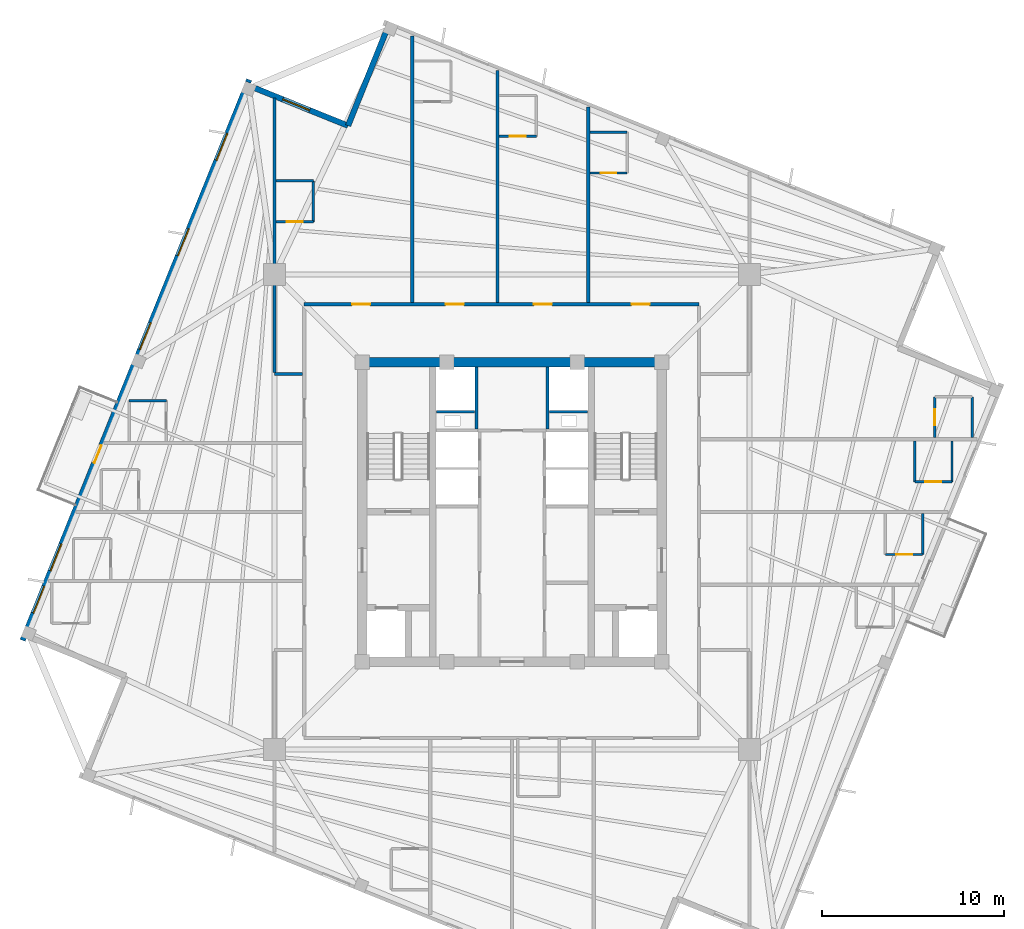
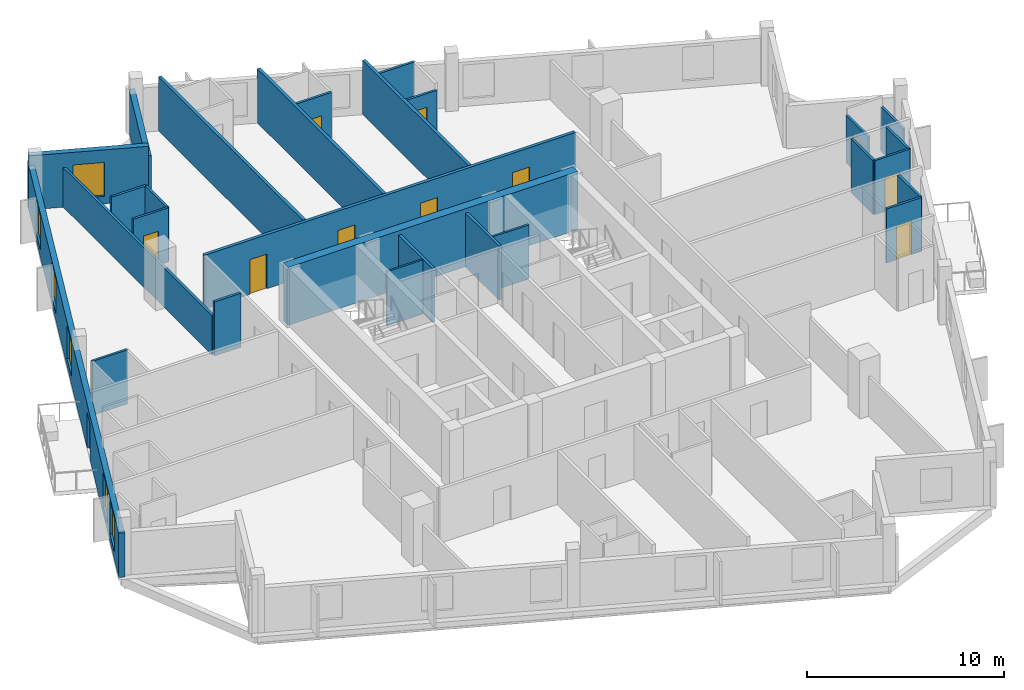
# One storey, part 5 of 9: 28 walls, 11 doors, 6 windows, 17 openings.
"""IFC4 building model written with IfcOpenShell, lengths in metres."""

from ifc_helpers import new_model, si_unit, direction, frame, frame_2d, origin, place, context, subcontext, project, spatial, rectangle, extrude, source, transform, mapped, material, layer, layer_set, type_object, element, fill, save


model = new_model("IFC4")

# Units and contexts
model_context = context("Model", 3, precision=1e-05, world=origin(), true_north=direction((0.0, 1.0)))
body_context = subcontext(model_context, "Body", "Model", "MODEL_VIEW")
ifc_project = project(units=[si_unit("LENGTHUNIT", "METRE"), si_unit("AREAUNIT", "SQUARE_METRE"), si_unit("VOLUMEUNIT", "CUBIC_METRE"), si_unit("PLANEANGLEUNIT", "RADIAN"), si_unit("MASSUNIT", "GRAM", prefix="KILO"), si_unit("THERMODYNAMICTEMPERATUREUNIT", "KELVIN")], contexts=[model_context])

# Site, building, storey
site_placement = place(None, origin())
site = spatial("IfcSite", under=ifc_project, at=site_placement, CompositionType="ELEMENT")
building_placement = place(site_placement, origin())
building = spatial("IfcBuilding", under=site, at=building_placement, Name="Kosmvard Interchange Tower", CompositionType="ELEMENT")
storey_placement = place(building_placement, frame((0.0, 0.0, 279.60009765625)))
storey = spatial("IfcBuildingStorey", under=building, at=storey_placement, Name="L68", CompositionType="ELEMENT", Elevation=279.60009765625)

# Walls
ifc_material_1 = material(Name="Acoustic gypsum partition system")
ifc_layer_1 = layer(ifc_material_1, 0.14990234375, Name="Acoustic gypsum partition system")
ifc_layer_set_1 = layer_set([ifc_layer_1], Name="Acoustic gypsum partition system")
wall_type_1 = type_object("IfcWallType", Name="Acoustic Suite & Meeting Partition 150", PredefinedType="PARTITIONING", material=ifc_layer_set_1)
wall_1_placement = place(storey_placement, frame((-11.544921875, 7.60009765625, 0.0), z_axis=(0.0, 0.0, 1.0), x_axis=(-1.0, 0.0, 0.0)))
element("IfcWall", 1, at=wall_1_placement, inside=storey, type_object=wall_type_1, Name="L68 Room Partition 13.1", PredefinedType="PARTITIONING", context=body_context, shape_type="SweptSolid", body=[
    extrude(rectangle(XDim=1.5361328125, YDim=0.14990234375, at=frame_2d((0.76806640625, 0.0))), origin(), (0.0, 0.0, 1.0), 3.349853515625),
])
wall_2_placement = place(storey_placement, frame((-13.0810546875, 7.675048828125, 0.0), z_axis=(0.0, 0.0, 1.0), x_axis=(0.0, 1.0, 0.0)))
element("IfcWall", 2, at=wall_2_placement, inside=storey, type_object=wall_type_1, Name="L68 Room Partition 14.1", PredefinedType="PARTITIONING", context=body_context, shape_type="SweptSolid", body=[
    extrude(rectangle(XDim=15.1416015625, YDim=0.14990234375, at=frame_2d((7.57080078125, 0.0))), origin(), (0.0, 0.0, 1.0), 2.449951171875),
])
ifc_material_2 = material(Name="Fire-rated gypsum partition system")
ifc_layer_2 = layer(ifc_material_2, 0.159912109375, Name="Fire-rated gypsum partition system")
ifc_layer_set_2 = layer_set([ifc_layer_2], Name="Fire-rated gypsum partition system")
wall_type_2 = type_object("IfcWallType", Name="Core Compartment & Shuttle Lobby Partition 160", PredefinedType="PARTITIONING", material=ifc_layer_set_2)
for number, where, z_axis, x_axis, name in (
    (3, (-1.9599609375, 4.580078125, 0.0), (0.0, 0.0, 1.0), (0.0, 1.0, 0.0), "L68 North Core West Wall"),
    (4, (1.9599609375, 4.580078125, 0.0), (0.0, 0.0, 1.0), (0.0, 1.0, 0.0), "L68 North Core East Wall"),
):
    element("IfcWall", number, at=place(storey_placement, frame(where, z_axis=z_axis, x_axis=x_axis)), inside=storey, type_object=wall_type_2, Name=name, PredefinedType="PARTITIONING", context=body_context, shape_type="SweptSolid", body=[
        extrude(rectangle(XDim=3.39990234375, YDim=0.159912109375, at=frame_2d((1.699951171875, 0.0))), origin(), (0.0, 0.0, 1.0), 3.349853515625),
    ])

# Wall, openings, doors
ifc_layer_3 = layer(ifc_material_2, 0.179931640625, Name="Fire-rated gypsum partition system")
ifc_layer_set_3 = layer_set([ifc_layer_3], Name="Fire-rated gypsum partition system")
wall_type_3 = type_object("IfcWallType", Name="Corridor & Hotel Compartment Partition 180", PredefinedType="PARTITIONING", material=ifc_layer_set_3)
wall_3_placement = place(storey_placement, frame((-11.449951171875, 11.449951171875, 0.0), z_axis=(0.0, 0.0, 1.0), x_axis=(1.0, 0.0, 0.0)))
wall_3 = element("IfcWall", 5, at=wall_3_placement, inside=storey, type_object=wall_type_3, Name="L68 Corridor Wall CN", PredefinedType="PARTITIONING", context=body_context, shape_type="SweptSolid", body=[
    extrude(rectangle(XDim=21.75, YDim=0.179931640625, at=frame_2d((10.875, 0.0))), origin(), (0.0, 0.0, 1.0), 3.349853515625),
])
opening_1_placement = place(wall_3_placement, frame((2.639404296875, 0.0, 0.0)))
opening_1 = element("IfcOpeningElement", 6, at=opening_1_placement, cuts=wall_3, Name="Opening L68-D06", PredefinedType="OPENING", context=body_context, shape_type="SweptSolid", body=[
    extrude(rectangle(XDim=1.0, YDim=2.14990234375, at=frame_2d((0.5, 1.074951171875))), frame((0.0, 0.10009765625, 0.0), z_axis=(0.0, -1.0, 0.0), x_axis=(1.0, 0.0, 0.0)), (0.0, 0.0, 1.0), 0.199951171875),
])
opening_2_placement = place(wall_3_placement, frame((7.800048828125, 0.0, 0.0)))
opening_2 = element("IfcOpeningElement", 7, at=opening_2_placement, cuts=wall_3, Name="Opening L68-D08", PredefinedType="OPENING", context=body_context, shape_type="SweptSolid", body=[
    extrude(rectangle(XDim=1.0, YDim=2.14990234375, at=frame_2d((0.5, 1.074951171875))), frame((0.0, 0.10009765625, 0.0), z_axis=(0.0, -1.0, 0.0), x_axis=(1.0, 0.0, 0.0)), (0.0, 0.0, 1.0), 0.199951171875),
])
opening_3_placement = place(wall_3_placement, frame((12.64990234375, 0.0, 0.0)))
opening_3 = element("IfcOpeningElement", 8, at=opening_3_placement, cuts=wall_3, Name="Opening L68-D10", PredefinedType="OPENING", context=body_context, shape_type="SweptSolid", body=[
    extrude(rectangle(XDim=1.0, YDim=2.14990234375, at=frame_2d((0.5, 1.074951171875))), frame((0.0, 0.10009765625, 0.0), z_axis=(0.0, -1.0, 0.0), x_axis=(1.0, 0.0, 0.0)), (0.0, 0.0, 1.0), 0.199951171875),
])
opening_4_placement = place(wall_3_placement, frame((18.03564453125, 0.0, 0.0)))
opening_4 = element("IfcOpeningElement", 9, at=opening_4_placement, cuts=wall_3, Name="Opening L68-D12", PredefinedType="OPENING", context=body_context, shape_type="SweptSolid", body=[
    extrude(rectangle(XDim=1.0, YDim=2.14990234375, at=frame_2d((0.5, 1.074951171875))), frame((0.0, 0.10009765625, 0.0), z_axis=(0.0, -1.0, 0.0), x_axis=(1.0, 0.0, 0.0)), (0.0, 0.0, 1.0), 0.199951171875),
])
ifc_material_3 = material(Name="Engineered oak fire-rated timber", Category="wood")
door_type_1 = type_object("IfcDoorType", Name="Hotel Guestroom Entrance Door 1000x2150 EI60", OperationType="NOTDEFINED", PredefinedType="DOOR", material=ifc_material_3)
shared_shape_1 = source(origin(), body_context, "Body", "SweptSolid", [
    extrude(rectangle(XDim=1.0, YDim=2.14990234375, at=frame_2d((0.5, 1.074951171875))), frame((0.0, 0.02490234375, 0.0), z_axis=(0.0, -1.0, 0.0), x_axis=(1.0, 0.0, 0.0)), (0.0, 0.0, 1.0), 0.050048828125),
])
door_1_placement = place(opening_1_placement, origin())
door_1 = element("IfcDoor", 10, at=door_1_placement, inside=storey, type_object=door_type_1, Name="L68 Hotel Standard Junior Suite 3 Door", OperationType="SINGLE_SWING_RIGHT", OverallHeight=2.14990234375, OverallWidth=1.0, PredefinedType="DOOR", context=body_context, shape_type="MappedRepresentation", body=[
    mapped(shared_shape_1, transform((0.0, 0.0, 0.0), scale=1.0)),
])
fill(opening_1, door_1)
door_2_placement = place(opening_2_placement, origin())
door_2 = element("IfcDoor", 11, at=door_2_placement, inside=storey, type_object=door_type_1, Name="L68 Hotel Corner Suite 1 Door", OperationType="SINGLE_SWING_RIGHT", OverallHeight=2.14990234375, OverallWidth=1.0, PredefinedType="DOOR", context=body_context, shape_type="MappedRepresentation", body=[
    mapped(shared_shape_1, transform((0.0, 0.0, 0.0), scale=1.0)),
])
fill(opening_2, door_2)
door_3_placement = place(opening_3_placement, origin())
door_3 = element("IfcDoor", 12, at=door_3_placement, inside=storey, type_object=door_type_1, Name="L68 Hotel Twin Guest Room 4 Door", OperationType="SINGLE_SWING_RIGHT", OverallHeight=2.14990234375, OverallWidth=1.0, PredefinedType="DOOR", context=body_context, shape_type="MappedRepresentation", body=[
    mapped(shared_shape_1, transform((0.0, 0.0, 0.0), scale=1.0)),
])
fill(opening_3, door_3)
door_4_placement = place(opening_4_placement, origin())
door_4 = element("IfcDoor", 13, at=door_4_placement, inside=storey, type_object=door_type_1, Name="L68 Hotel Queen Junior Suite 5 Door", OperationType="SINGLE_SWING_RIGHT", OverallHeight=2.14990234375, OverallWidth=1.0, PredefinedType="DOOR", context=body_context, shape_type="MappedRepresentation", body=[
    mapped(shared_shape_1, transform((0.0, 0.0, 0.0), scale=1.0)),
])
fill(opening_4, door_4)

# Walls
wall_4_placement = place(storey_placement, frame((-5.5, 11.544921875, 0.0), z_axis=(0.0, 0.0, 1.0), x_axis=(0.0, 1.0, 0.0)))
element("IfcWall", 14, at=wall_4_placement, inside=storey, type_object=wall_type_3, Name="L68 Room Partition 01.1", PredefinedType="PARTITIONING", context=body_context, shape_type="SweptSolid", body=[
    extrude(rectangle(XDim=14.679931640625, YDim=0.179931640625, at=frame_2d((7.33984375, 0.0))), origin(), (0.0, 0.0, 1.0), 3.349853515625),
])
wall_5_placement = place(storey_placement, frame((-0.800048828125, 11.544921875, 0.0), z_axis=(0.0, 0.0, 1.0), x_axis=(0.0, 1.0, 0.0)))
element("IfcWall", 15, at=wall_5_placement, inside=storey, type_object=wall_type_3, Name="L68 Room Partition 02.1", PredefinedType="PARTITIONING", context=body_context, shape_type="SweptSolid", body=[
    extrude(rectangle(XDim=12.781005859375, YDim=0.179931640625, at=frame_2d((6.390625, 0.0))), origin(), (0.0, 0.0, 1.0), 3.349853515625),
])
wall_6_placement = place(storey_placement, frame((4.199951171875, 11.544921875, 0.0), z_axis=(0.0, 0.0, 1.0), x_axis=(0.0, 1.0, 0.0)))
element("IfcWall", 16, at=wall_6_placement, inside=storey, type_object=wall_type_3, Name="L68 Room Partition 03.1", PredefinedType="PARTITIONING", context=body_context, shape_type="SweptSolid", body=[
    extrude(rectangle(XDim=10.760986328125, YDim=0.179931640625, at=frame_2d((5.38037109375, 0.0))), origin(), (0.0, 0.0, 1.0), 3.349853515625),
])
ifc_material_4 = material(Name="Fire-rated gypsum shaftwall system")
ifc_layer_4 = layer(ifc_material_4, 0.1201171875, Name="Fire-rated gypsum shaftwall system")
ifc_layer_set_4 = layer_set([ifc_layer_4], Name="Fire-rated gypsum shaftwall system")
wall_type_4 = type_object("IfcWallType", Name="Shaft & Riser Fire Partition 120 EI60", PredefinedType="PARTITIONING", material=ifc_layer_set_4)
for number, where, z_axis, x_axis, name in (
    (17, (-4.159912109375, 5.52001953125, 0.0), (0.0, 0.0, 1.0), (1.0, 0.0, 0.0), "L68 Riser Shaft Divider W"),
    (18, (2.06005859375, 5.52001953125, 0.0), (0.0, 0.0, 1.0), (1.0, 0.0, 0.0), "L68 Riser Shaft Divider E"),
):
    element("IfcWall", number, at=place(storey_placement, frame(where, z_axis=z_axis, x_axis=x_axis)), inside=storey, type_object=wall_type_4, Name=name, PredefinedType="PARTITIONING", context=body_context, shape_type="SweptSolid", body=[
        extrude(rectangle(XDim=2.099853515625, YDim=0.1201171875, at=frame_2d((1.0498046875, 0.0))), origin(), (0.0, 0.0, 1.0), 3.349853515625),
    ])
ifc_material_5 = material(Name="Concrete C60/75", Category="concrete")
ifc_layer_5 = layer(ifc_material_5, 0.5, Name="Concrete C60/75")
ifc_layer_set_5 = layer_set([ifc_layer_5], Name="Concrete C60/75")
wall_type_5 = type_object("IfcWallType", Name="Upper Core Shear Wall 500 C60/75", PredefinedType="SHEAR", material=ifc_layer_set_5)
wall_7_placement = place(storey_placement, frame((-8.5, 8.25, 0.0), z_axis=(0.0, 0.0, 1.0), x_axis=(1.0, 0.0, 0.0)))
element("IfcWall", 19, at=wall_7_placement, inside=storey, type_object=wall_type_5, Name="L68 Core Shear Wall CW-N", PredefinedType="SHEAR", context=body_context, shape_type="SweptSolid", body=[
    extrude(rectangle(XDim=17.0, YDim=0.5, at=frame_2d((8.5, 0.0))), origin(), (0.0, 0.0, 1.0), 3.599853515625),
])
ifc_material_6 = material(Name="Precast concrete C45/55", Category="concrete")
ifc_layer_6 = layer(ifc_material_6, 0.31005859375, Name="Precast concrete C45/55")
ifc_layer_set_6 = layer_set([ifc_layer_6], Name="Precast concrete C45/55")
wall_type_6 = type_object("IfcWallType", Name="Upper Tower Precast Pier Wall 310 C45/55", PredefinedType="STANDARD", material=ifc_layer_set_6)
wall_8_placement = place(storey_placement, frame((-6.7841796875, 26.8408203125, 0.0), z_axis=(0.0, 0.0, 1.0), x_axis=(-0.374636620962, -0.927171722085, 0.0)))
element("IfcWall", 20, at=wall_8_placement, inside=storey, type_object=wall_type_6, Name="L68 Precast Facade Wall N-NE1", PredefinedType="STANDARD", context=body_context, shape_type="SweptSolid", body=[
    extrude(rectangle(XDim=6.0, YDim=0.31005859375, at=frame_2d((3.0, 0.0))), origin(), (0.0, 0.0, 1.0), 2.64990234375),
])

# Wall, opening, window
wall_9_placement = place(storey_placement, frame((-9.031982421875, 21.27783203125, 0.0), z_axis=(0.0, 0.0, 1.0), x_axis=(-0.927185411764, 0.374602739196, 0.0)))
wall_9 = element("IfcWall", 21, at=wall_9_placement, inside=storey, type_object=wall_type_6, Name="L68 Precast Facade Wall N-NE2", PredefinedType="STANDARD", context=body_context, shape_type="SweptSolid", body=[
    extrude(rectangle(XDim=6.155029296875, YDim=0.31005859375, at=frame_2d((3.07763671875, 0.0))), origin(), (0.0, 0.0, 1.0), 3.349853515625),
])
opening_5_placement = place(wall_9_placement, frame((2.277587890625, 0.0, 0.469970703125)))
opening_5 = element("IfcOpeningElement", 22, at=opening_5_placement, cuts=wall_9, Name="Opening L68-W20", PredefinedType="OPENING", context=body_context, shape_type="SweptSolid", body=[
    extrude(rectangle(XDim=1.60009765625, YDim=2.10009765625, at=frame_2d((0.800048828125, 1.050048828125))), frame((0.0, 0.1650390625, 0.0), z_axis=(0.0, -1.0, 0.0), x_axis=(1.0, 0.0, 0.0)), (0.0, 0.0, 1.0), 0.330078125),
])
ifc_material_7 = material(Name="Low-E acoustic double glazing", Category="glass")
window_type = type_object("IfcWindowType", Name="Zone 5 Hotel Punched Window 1600x2100", PartitioningType="SINGLE_PANEL", PredefinedType="WINDOW", material=ifc_material_7)
shared_shape_2 = source(origin(), body_context, "Body", "SweptSolid", [
    extrude(rectangle(XDim=1.60009765625, YDim=2.10009765625, at=frame_2d((0.800048828125, 1.050048828125))), frame((0.0, 0.030029296875, 0.0), z_axis=(0.0, -1.0, 0.0), x_axis=(1.0, 0.0, 0.0)), (0.0, 0.0, 1.0), 0.06005859375),
])
window_1_placement = place(opening_5_placement, origin())
window_1 = element("IfcWindow", 23, at=window_1_placement, inside=storey, type_object=window_type, Name="L68 Corner Notch Window 20", OverallHeight=2.10009765625, OverallWidth=1.60009765625, PartitioningType="SINGLE_PANEL", PredefinedType="WINDOW", context=body_context, shape_type="MappedRepresentation", body=[
    mapped(shared_shape_2, transform((0.0, 0.0, 0.0), scale=1.0)),
])
fill(opening_5, window_1)

# Wall, openings, door, windows
wall_10_placement = place(storey_placement, frame((-14.478759765625, 23.812744140625, 0.0), z_axis=(0.0, 0.0, 1.0), x_axis=(-0.374609557019, -0.927182657188, 0.0)))
wall_10 = element("IfcWall", 24, at=wall_10_placement, inside=storey, type_object=wall_type_6, Name="L68 Precast Facade Wall F-N", PredefinedType="STANDARD", context=body_context, shape_type="SweptSolid", body=[
    extrude(rectangle(XDim=33.31005859375, YDim=0.31005859375, at=frame_2d((16.655029296875, 0.0))), origin(), (0.0, 0.0, 1.0), 2.75),
])
opening_6_placement = place(wall_10_placement, frame((21.72998046875, 0.0, 0.0)))
opening_6 = element("IfcOpeningElement", 25, at=opening_6_placement, cuts=wall_10, Name="Opening L68-BDE", PredefinedType="OPENING", context=body_context, shape_type="SweptSolid", body=[
    extrude(rectangle(XDim=1.050048828125, YDim=2.25, at=frame_2d((0.52490234375, 1.125))), frame((0.0, 0.1650390625, 0.0), z_axis=(0.0, -1.0, 0.0), x_axis=(1.0, 0.0, 0.0)), (0.0, 0.0, 1.0), 0.330078125),
])
opening_7_placement = place(wall_10_placement, frame((3.197265625, 0.0, 0.469970703125)))
opening_7 = element("IfcOpeningElement", 26, at=opening_7_placement, cuts=wall_10, Name="Opening L68-W10", PredefinedType="OPENING", context=body_context, shape_type="SweptSolid", body=[
    extrude(rectangle(XDim=1.60009765625, YDim=2.10009765625, at=frame_2d((0.800048828125, 1.050048828125))), frame((0.0, 0.1650390625, 0.0), z_axis=(0.0, -1.0, 0.0), x_axis=(1.0, 0.0, 0.0)), (0.0, 0.0, 1.0), 0.330078125),
])
opening_8_placement = place(wall_10_placement, frame((8.85986328125, 0.0, 0.469970703125)))
opening_8 = element("IfcOpeningElement", 27, at=opening_8_placement, cuts=wall_10, Name="Opening L68-W11", PredefinedType="OPENING", context=body_context, shape_type="SweptSolid", body=[
    extrude(rectangle(XDim=1.60009765625, YDim=2.10009765625, at=frame_2d((0.800048828125, 1.050048828125))), frame((0.0, 0.1650390625, 0.0), z_axis=(0.0, -1.0, 0.0), x_axis=(1.0, 0.0, 0.0)), (0.0, 0.0, 1.0), 0.330078125),
])
opening_9_placement = place(wall_10_placement, frame((14.438720703125, 0.0, 0.469970703125)))
opening_9 = element("IfcOpeningElement", 28, at=opening_9_placement, cuts=wall_10, Name="Opening L68-W12", PredefinedType="OPENING", context=body_context, shape_type="SweptSolid", body=[
    extrude(rectangle(XDim=1.60009765625, YDim=2.10009765625, at=frame_2d((0.800048828125, 1.050048828125))), frame((0.0, 0.1650390625, 0.0), z_axis=(0.0, -1.0, 0.0), x_axis=(1.0, 0.0, 0.0)), (0.0, 0.0, 1.0), 0.330078125),
])
opening_10_placement = place(wall_10_placement, frame((30.0966796875, 0.0, 0.469970703125)))
opening_10 = element("IfcOpeningElement", 29, at=opening_10_placement, cuts=wall_10, Name="Opening L68-W13", PredefinedType="OPENING", context=body_context, shape_type="SweptSolid", body=[
    extrude(rectangle(XDim=1.60009765625, YDim=2.10009765625, at=frame_2d((0.800048828125, 1.050048828125))), frame((0.0, 0.1650390625, 0.0), z_axis=(0.0, -1.0, 0.0), x_axis=(1.0, 0.0, 0.0)), (0.0, 0.0, 1.0), 0.330078125),
])
opening_11_placement = place(wall_10_placement, frame((27.58984375, 0.0, 0.469970703125)))
opening_11 = element("IfcOpeningElement", 30, at=opening_11_placement, cuts=wall_10, Name="Opening L68-DW23", PredefinedType="OPENING", context=body_context, shape_type="SweptSolid", body=[
    extrude(rectangle(XDim=1.60009765625, YDim=2.10009765625, at=frame_2d((0.800048828125, 1.050048828125))), frame((0.0, 0.1650390625, 0.0), z_axis=(0.0, -1.0, 0.0), x_axis=(1.0, 0.0, 0.0)), (0.0, 0.0, 1.0), 0.330078125),
])
ifc_material_8 = material(Name="Anodised aluminium and safety glass", Category="aluminium")
door_type_2 = type_object("IfcDoorType", Name="Tree-Balcony Glazed Door 1050x2250", OperationType="NOTDEFINED", PredefinedType="DOOR", material=ifc_material_8)
shared_shape_3 = source(origin(), body_context, "Body", "SweptSolid", [
    extrude(rectangle(XDim=1.050048828125, YDim=2.25, at=frame_2d((0.52490234375, 1.125))), frame((0.0, 0.02490234375, 0.0), z_axis=(0.0, -1.0, 0.0), x_axis=(1.0, 0.0, 0.0)), (0.0, 0.0, 1.0), 0.050048828125),
])
door_5_placement = place(opening_6_placement, origin())
door_5 = element("IfcDoor", 31, at=door_5_placement, inside=storey, type_object=door_type_2, Name="L68 Tree-Balcony Door BAL-L68-NE", OperationType="SINGLE_SWING_LEFT", OverallHeight=2.25, OverallWidth=1.050048828125, PredefinedType="DOOR", context=body_context, shape_type="MappedRepresentation", body=[
    mapped(shared_shape_3, transform((0.0, 0.0, 0.0), scale=1.0)),
])
fill(opening_6, door_5)
window_2_placement = place(opening_7_placement, origin())
window_2 = element("IfcWindow", 32, at=window_2_placement, inside=storey, type_object=window_type, Name="L68 Facade Punched Window 10", OverallHeight=2.10009765625, OverallWidth=1.60009765625, PartitioningType="SINGLE_PANEL", PredefinedType="WINDOW", context=body_context, shape_type="MappedRepresentation", body=[
    mapped(shared_shape_2, transform((0.0, 0.0, 0.0), scale=1.0)),
])
fill(opening_7, window_2)
window_3_placement = place(opening_8_placement, origin())
window_3 = element("IfcWindow", 33, at=window_3_placement, inside=storey, type_object=window_type, Name="L68 Facade Punched Window 11", OverallHeight=2.10009765625, OverallWidth=1.60009765625, PartitioningType="SINGLE_PANEL", PredefinedType="WINDOW", context=body_context, shape_type="MappedRepresentation", body=[
    mapped(shared_shape_2, transform((0.0, 0.0, 0.0), scale=1.0)),
])
fill(opening_8, window_3)
window_4_placement = place(opening_9_placement, origin())
window_4 = element("IfcWindow", 34, at=window_4_placement, inside=storey, type_object=window_type, Name="L68 Facade Punched Window 12", OverallHeight=2.10009765625, OverallWidth=1.60009765625, PartitioningType="SINGLE_PANEL", PredefinedType="WINDOW", context=body_context, shape_type="MappedRepresentation", body=[
    mapped(shared_shape_2, transform((0.0, 0.0, 0.0), scale=1.0)),
])
fill(opening_9, window_4)
window_5_placement = place(opening_10_placement, origin())
window_5 = element("IfcWindow", 35, at=window_5_placement, inside=storey, type_object=window_type, Name="L68 Facade Punched Window 13", OverallHeight=2.10009765625, OverallWidth=1.60009765625, PartitioningType="SINGLE_PANEL", PredefinedType="WINDOW", context=body_context, shape_type="MappedRepresentation", body=[
    mapped(shared_shape_2, transform((0.0, 0.0, 0.0), scale=1.0)),
])
fill(opening_10, window_5)
window_6_placement = place(opening_11_placement, origin())
window_6 = element("IfcWindow", 36, at=window_6_placement, inside=storey, type_object=window_type, Name="L68 Guest Room Punched Window 23", OverallHeight=2.10009765625, OverallWidth=1.60009765625, PartitioningType="SINGLE_PANEL", PredefinedType="WINDOW", context=body_context, shape_type="MappedRepresentation", body=[
    mapped(shared_shape_2, transform((0.0, 0.0, 0.0), scale=1.0)),
])
fill(opening_11, window_6)

# Wall
ifc_material_9 = material(Name="Moisture-resistant gypsum partition")
ifc_layer_7 = layer(ifc_material_9, 0.135009765625, Name="Moisture-resistant gypsum partition")
ifc_layer_set_7 = layer_set([ifc_layer_7], Name="Moisture-resistant gypsum partition")
wall_type_7 = type_object("IfcWallType", Name="Wet Room Moisture-Resistant Partition 135", PredefinedType="PARTITIONING", material=ifc_layer_set_7)
wall_11_placement = place(storey_placement, frame((-21.084228515625, 6.139892578125, 0.0), z_axis=(0.0, 0.0, 1.0), x_axis=(1.0, 0.0, 0.0)))
element("IfcWall", 37, at=wall_11_placement, inside=storey, type_object=wall_type_7, Name="L68 En-Suite Partition HGR2-N", PredefinedType="PARTITIONING", context=body_context, shape_type="SweptSolid", body=[
    extrude(rectangle(XDim=2.050048828125, YDim=0.135009765625, at=frame_2d((1.02490234375, 0.0))), origin(), (0.0, 0.0, 1.0), 3.349853515625),
])

# Wall, opening, door
wall_12_placement = place(storey_placement, frame((-12.990966796875, 15.98583984375, 0.0), z_axis=(0.0, 0.0, 1.0), x_axis=(1.0, 0.0, 0.0)))
wall_12 = element("IfcWall", 38, at=wall_12_placement, inside=storey, type_object=wall_type_7, Name="L68 En-Suite Partition HGR3-S", PredefinedType="PARTITIONING", context=body_context, shape_type="SweptSolid", body=[
    extrude(rectangle(XDim=2.050048828125, YDim=0.135009765625, at=frame_2d((1.02490234375, 0.0))), origin(), (0.0, 0.0, 1.0), 3.349853515625),
])
opening_12_placement = place(wall_12_placement, frame((0.5849609375, 0.0, 0.0)))
opening_12 = element("IfcOpeningElement", 39, at=opening_12_placement, cuts=wall_12, Name="Opening L68-ED07", PredefinedType="OPENING", context=body_context, shape_type="SweptSolid", body=[
    extrude(rectangle(XDim=0.8798828125, YDim=2.10009765625, at=frame_2d((0.43994140625, 1.050048828125))), frame((0.0, 0.07763671875, 0.0), z_axis=(0.0, -1.0, 0.0), x_axis=(1.0, 0.0, 0.0)), (0.0, 0.0, 1.0), 0.155029296875),
])
ifc_material_10 = material(Name="Laminated moisture-resistant timber", Category="wood")
door_type_3 = type_object("IfcDoorType", Name="En-Suite & Washroom Door 880x2100", OperationType="NOTDEFINED", PredefinedType="DOOR", material=ifc_material_10)
shared_shape_4 = source(origin(), body_context, "Body", "SweptSolid", [
    extrude(rectangle(XDim=0.8798828125, YDim=2.10009765625, at=frame_2d((0.43994140625, 1.050048828125))), frame((0.0, 0.02490234375, 0.0), z_axis=(0.0, -1.0, 0.0), x_axis=(1.0, 0.0, 0.0)), (0.0, 0.0, 1.0), 0.050048828125),
])
door_6_placement = place(opening_12_placement, origin())
door_6 = element("IfcDoor", 40, at=door_6_placement, inside=storey, type_object=door_type_3, Name="L68 HGR3 En-Suite Door", OperationType="SINGLE_SWING_RIGHT", OverallHeight=2.10009765625, OverallWidth=0.8798828125, PredefinedType="DOOR", context=body_context, shape_type="MappedRepresentation", body=[
    mapped(shared_shape_4, transform((0.0, 0.0, 0.0), scale=1.0)),
])
fill(opening_12, door_6)

# Walls
wall_13_placement = place(storey_placement, frame((-10.94091796875, 15.98583984375, 0.0), z_axis=(0.0, 0.0, 1.0), x_axis=(0.0, 1.0, 0.0)))
element("IfcWall", 41, at=wall_13_placement, inside=storey, type_object=wall_type_7, Name="L68 En-Suite Partition HGR3-E", PredefinedType="PARTITIONING", context=body_context, shape_type="SweptSolid", body=[
    extrude(rectangle(XDim=2.25, YDim=0.135009765625, at=frame_2d((1.125, 0.0))), origin(), (0.0, 0.0, 1.0), 3.349853515625),
])
wall_14_placement = place(storey_placement, frame((-12.990966796875, 18.23583984375, 0.0), z_axis=(0.0, 0.0, 1.0), x_axis=(1.0, 0.0, 0.0)))
element("IfcWall", 42, at=wall_14_placement, inside=storey, type_object=wall_type_7, Name="L68 En-Suite Partition HGR3-N", PredefinedType="PARTITIONING", context=body_context, shape_type="SweptSolid", body=[
    extrude(rectangle(XDim=2.050048828125, YDim=0.135009765625, at=frame_2d((1.02490234375, 0.0))), origin(), (0.0, 0.0, 1.0), 3.349853515625),
])

# Wall, opening, door
wall_15_placement = place(storey_placement, frame((-0.7099609375, 20.692626953125, 0.0), z_axis=(0.0, 0.0, 1.0), x_axis=(1.0, 0.0, 0.0)))
wall_15 = element("IfcWall", 43, at=wall_15_placement, inside=storey, type_object=wall_type_7, Name="L68 En-Suite Partition HGR4-S", PredefinedType="PARTITIONING", context=body_context, shape_type="SweptSolid", body=[
    extrude(rectangle(XDim=2.050048828125, YDim=0.135009765625, at=frame_2d((1.02490234375, 0.0))), origin(), (0.0, 0.0, 1.0), 3.349853515625),
])
opening_13_placement = place(wall_15_placement, frame((0.5849609375, 0.0, 0.0)))
opening_13 = element("IfcOpeningElement", 44, at=opening_13_placement, cuts=wall_15, Name="Opening L68-ED11", PredefinedType="OPENING", context=body_context, shape_type="SweptSolid", body=[
    extrude(rectangle(XDim=0.8798828125, YDim=2.10009765625, at=frame_2d((0.43994140625, 1.050048828125))), frame((0.0, 0.07763671875, 0.0), z_axis=(0.0, -1.0, 0.0), x_axis=(1.0, 0.0, 0.0)), (0.0, 0.0, 1.0), 0.155029296875),
])
door_7_placement = place(opening_13_placement, origin())
door_7 = element("IfcDoor", 45, at=door_7_placement, inside=storey, type_object=door_type_3, Name="L68 HGR4 En-Suite Door", OperationType="SINGLE_SWING_RIGHT", OverallHeight=2.10009765625, OverallWidth=0.8798828125, PredefinedType="DOOR", context=body_context, shape_type="MappedRepresentation", body=[
    mapped(shared_shape_4, transform((0.0, 0.0, 0.0), scale=1.0)),
])
fill(opening_13, door_7)

wall_16_placement = place(storey_placement, frame((4.2900390625, 18.672607421875, 0.0), z_axis=(0.0, 0.0, 1.0), x_axis=(1.0, 0.0, 0.0)))
wall_16 = element("IfcWall", 46, at=wall_16_placement, inside=storey, type_object=wall_type_7, Name="L68 En-Suite Partition HGR5-S", PredefinedType="PARTITIONING", context=body_context, shape_type="SweptSolid", body=[
    extrude(rectangle(XDim=2.050048828125, YDim=0.135009765625, at=frame_2d((1.02490234375, 0.0))), origin(), (0.0, 0.0, 1.0), 2.949951171875),
])
opening_14_placement = place(wall_16_placement, frame((0.5849609375, 0.0, 0.0)))
opening_14 = element("IfcOpeningElement", 47, at=opening_14_placement, cuts=wall_16, Name="Opening L68-ED13", PredefinedType="OPENING", context=body_context, shape_type="SweptSolid", body=[
    extrude(rectangle(XDim=0.8798828125, YDim=2.10009765625, at=frame_2d((0.43994140625, 1.050048828125))), frame((0.0, 0.07763671875, 0.0), z_axis=(0.0, -1.0, 0.0), x_axis=(1.0, 0.0, 0.0)), (0.0, 0.0, 1.0), 0.155029296875),
])
door_8_placement = place(opening_14_placement, origin())
door_8 = element("IfcDoor", 48, at=door_8_placement, inside=storey, type_object=door_type_3, Name="L68 HGR5 En-Suite Door", OperationType="SINGLE_SWING_RIGHT", OverallHeight=2.10009765625, OverallWidth=0.8798828125, PredefinedType="DOOR", context=body_context, shape_type="MappedRepresentation", body=[
    mapped(shared_shape_4, transform((0.0, 0.0, 0.0), scale=1.0)),
])
fill(opening_14, door_8)

# Walls
wall_17_placement = place(storey_placement, frame((4.2900390625, 20.922607421875, 0.0), z_axis=(0.0, 0.0, 1.0), x_axis=(1.0, 0.0, 0.0)))
element("IfcWall", 49, at=wall_17_placement, inside=storey, type_object=wall_type_7, Name="L68 En-Suite Partition HGR5-N", PredefinedType="PARTITIONING", context=body_context, shape_type="SweptSolid", body=[
    extrude(rectangle(XDim=2.050048828125, YDim=0.135009765625, at=frame_2d((1.02490234375, 0.0))), origin(), (0.0, 0.0, 1.0), 3.349853515625),
])
wall_18_placement = place(storey_placement, frame((25.341552734375, 4.090087890625, 0.0), z_axis=(0.0, 0.0, 1.0), x_axis=(0.0, 1.0, 0.0)))
element("IfcWall", 50, at=wall_18_placement, inside=storey, type_object=wall_type_7, Name="L68 En-Suite Partition HCS2-E", PredefinedType="PARTITIONING", context=body_context, shape_type="SweptSolid", body=[
    extrude(rectangle(XDim=2.25, YDim=0.135009765625, at=frame_2d((1.125, 0.0))), origin(), (0.0, 0.0, 1.0), 2.75),
])

# Wall, opening, door
wall_19_placement = place(storey_placement, frame((23.29150390625, 4.090087890625, 0.0), z_axis=(0.0, 0.0, 1.0), x_axis=(0.0, 1.0, 0.0)))
wall_19 = element("IfcWall", 51, at=wall_19_placement, inside=storey, type_object=wall_type_7, Name="L68 En-Suite Partition HCS2-W", PredefinedType="PARTITIONING", context=body_context, shape_type="SweptSolid", body=[
    extrude(rectangle(XDim=2.25, YDim=0.135009765625, at=frame_2d((1.125, 0.0))), origin(), (0.0, 0.0, 1.0), 2.949951171875),
])
opening_15_placement = place(wall_19_placement, frame((0.68505859375, 0.0, 0.0)))
opening_15 = element("IfcOpeningElement", 52, at=opening_15_placement, cuts=wall_19, Name="Opening L68-ED15", PredefinedType="OPENING", context=body_context, shape_type="SweptSolid", body=[
    extrude(rectangle(XDim=0.8798828125, YDim=2.10009765625, at=frame_2d((0.43994140625, 1.050048828125))), frame((0.0, 0.07763671875, 0.0), z_axis=(0.0, -1.0, 0.0), x_axis=(1.0, 0.0, 0.0)), (0.0, 0.0, 1.0), 0.155029296875),
])
door_9_placement = place(opening_15_placement, frame((0.8798828125, 0.0, 0.0), z_axis=(0.0, 0.0, 1.0), x_axis=(-1.0, 0.0, 0.0)))
door_9 = element("IfcDoor", 53, at=door_9_placement, inside=storey, type_object=door_type_3, Name="L68 HCS2 En-Suite Door", OperationType="SINGLE_SWING_RIGHT", OverallHeight=2.10009765625, OverallWidth=0.8798828125, PredefinedType="DOOR", context=body_context, shape_type="MappedRepresentation", body=[
    mapped(shared_shape_4, transform((0.0, 0.0, 0.0), scale=1.0)),
])
fill(opening_15, door_9)

wall_20_placement = place(storey_placement, frame((22.185546875, 1.659912109375, 0.0), z_axis=(0.0, 0.0, 1.0), x_axis=(1.0, 0.0, 0.0)))
wall_20 = element("IfcWall", 54, at=wall_20_placement, inside=storey, type_object=wall_type_7, Name="L68 En-Suite Partition HGR6-S", PredefinedType="PARTITIONING", context=body_context, shape_type="SweptSolid", body=[
    extrude(rectangle(XDim=2.050048828125, YDim=0.135009765625, at=frame_2d((1.02490234375, 0.0))), origin(), (0.0, 0.0, 1.0), 3.349853515625),
])
opening_16_placement = place(wall_20_placement, frame((0.5849609375, 0.0, 0.0)))
opening_16 = element("IfcOpeningElement", 55, at=opening_16_placement, cuts=wall_20, Name="Opening L68-ED17", PredefinedType="OPENING", context=body_context, shape_type="SweptSolid", body=[
    extrude(rectangle(XDim=0.8798828125, YDim=2.10009765625, at=frame_2d((0.43994140625, 1.050048828125))), frame((0.0, 0.07763671875, 0.0), z_axis=(0.0, -1.0, 0.0), x_axis=(1.0, 0.0, 0.0)), (0.0, 0.0, 1.0), 0.155029296875),
])
door_10_placement = place(opening_16_placement, origin())
door_10 = element("IfcDoor", 56, at=door_10_placement, inside=storey, type_object=door_type_3, Name="L68 HGR6 En-Suite Door", OperationType="SINGLE_SWING_RIGHT", OverallHeight=2.10009765625, OverallWidth=0.8798828125, PredefinedType="DOOR", context=body_context, shape_type="MappedRepresentation", body=[
    mapped(shared_shape_4, transform((0.0, 0.0, 0.0), scale=1.0)),
])
fill(opening_16, door_10)

# Walls
for number, where, z_axis, x_axis, name in (
    (57, (24.235595703125, 1.659912109375, 0.0), (0.0, 0.0, 1.0), (0.0, 1.0, 0.0), "L68 En-Suite Partition HGR6-E"),
    (58, (22.185546875, 1.659912109375, 0.0), (0.0, 0.0, 1.0), (0.0, 1.0, 0.0), "L68 En-Suite Partition HGR6-W"),
):
    element("IfcWall", number, at=place(storey_placement, frame(where, z_axis=z_axis, x_axis=x_axis)), inside=storey, type_object=wall_type_7, Name=name, PredefinedType="PARTITIONING", context=body_context, shape_type="SweptSolid", body=[
        extrude(rectangle(XDim=2.25, YDim=0.135009765625, at=frame_2d((1.125, 0.0))), origin(), (0.0, 0.0, 1.0), 3.349853515625),
    ])

# Wall, opening, door
wall_21_placement = place(storey_placement, frame((20.569580078125, -2.340087890625, 0.0), z_axis=(0.0, 0.0, 1.0), x_axis=(1.0, 0.0, 0.0)))
wall_21 = element("IfcWall", 59, at=wall_21_placement, inside=storey, type_object=wall_type_7, Name="L68 En-Suite Partition HGR7-S", PredefinedType="PARTITIONING", context=body_context, shape_type="SweptSolid", body=[
    extrude(rectangle(XDim=2.0498046875, YDim=0.135009765625, at=frame_2d((1.02490234375, 0.0))), origin(), (0.0, 0.0, 1.0), 3.349853515625),
])
opening_17_placement = place(wall_21_placement, frame((0.5849609375, 0.0, 0.0)))
opening_17 = element("IfcOpeningElement", 60, at=opening_17_placement, cuts=wall_21, Name="Opening L68-ED19", PredefinedType="OPENING", context=body_context, shape_type="SweptSolid", body=[
    extrude(rectangle(XDim=0.8798828125, YDim=2.10009765625, at=frame_2d((0.43994140625, 1.050048828125))), frame((0.0, 0.07763671875, 0.0), z_axis=(0.0, -1.0, 0.0), x_axis=(1.0, 0.0, 0.0)), (0.0, 0.0, 1.0), 0.155029296875),
])
door_11_placement = place(opening_17_placement, origin())
door_11 = element("IfcDoor", 61, at=door_11_placement, inside=storey, type_object=door_type_3, Name="L68 HGR7 En-Suite Door", OperationType="SINGLE_SWING_RIGHT", OverallHeight=2.10009765625, OverallWidth=0.8798828125, PredefinedType="DOOR", context=body_context, shape_type="MappedRepresentation", body=[
    mapped(shared_shape_4, transform((0.0, 0.0, 0.0), scale=1.0)),
])
fill(opening_17, door_11)

# Wall
wall_22_placement = place(storey_placement, frame((22.619384765625, -2.340087890625, 0.0), z_axis=(0.0, 0.0, 1.0), x_axis=(0.0, 1.0, 0.0)))
element("IfcWall", 62, at=wall_22_placement, inside=storey, type_object=wall_type_7, Name="L68 En-Suite Partition HGR7-E", PredefinedType="PARTITIONING", context=body_context, shape_type="SweptSolid", body=[
    extrude(rectangle(XDim=2.25, YDim=0.135009765625, at=frame_2d((1.125, 0.0))), origin(), (0.0, 0.0, 1.0), 3.349853515625),
])

save(model, "model.ifc")
